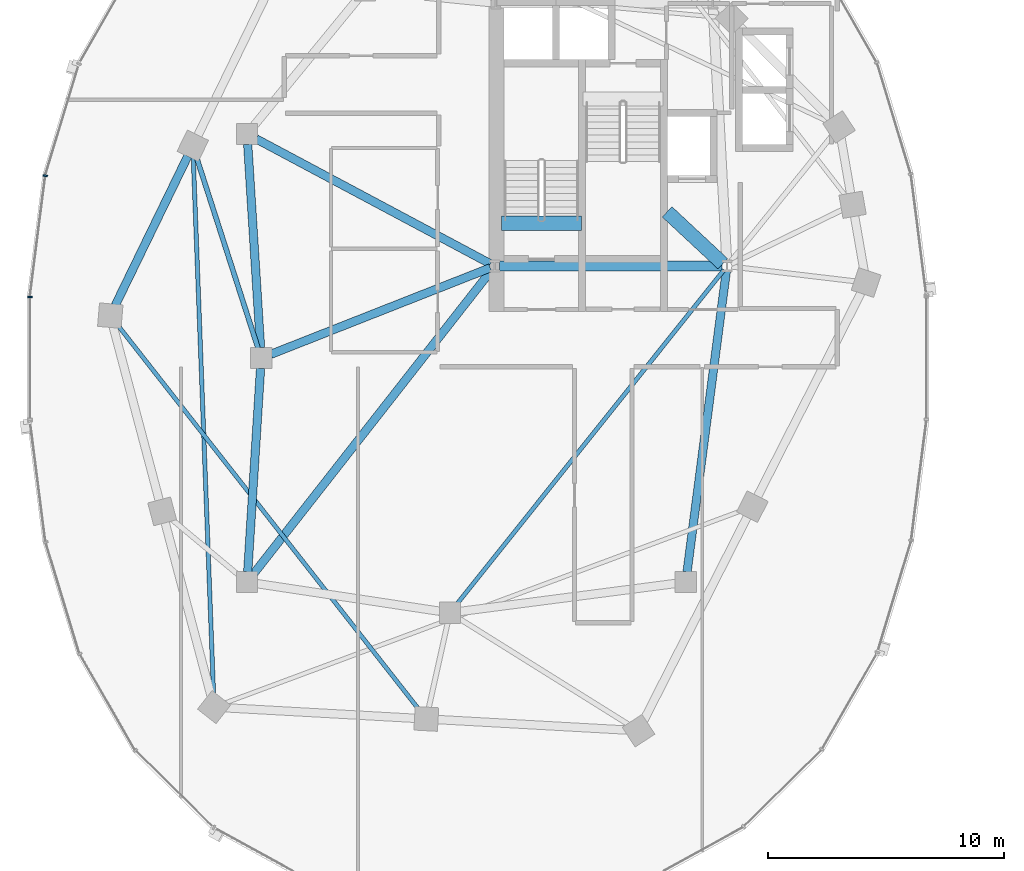
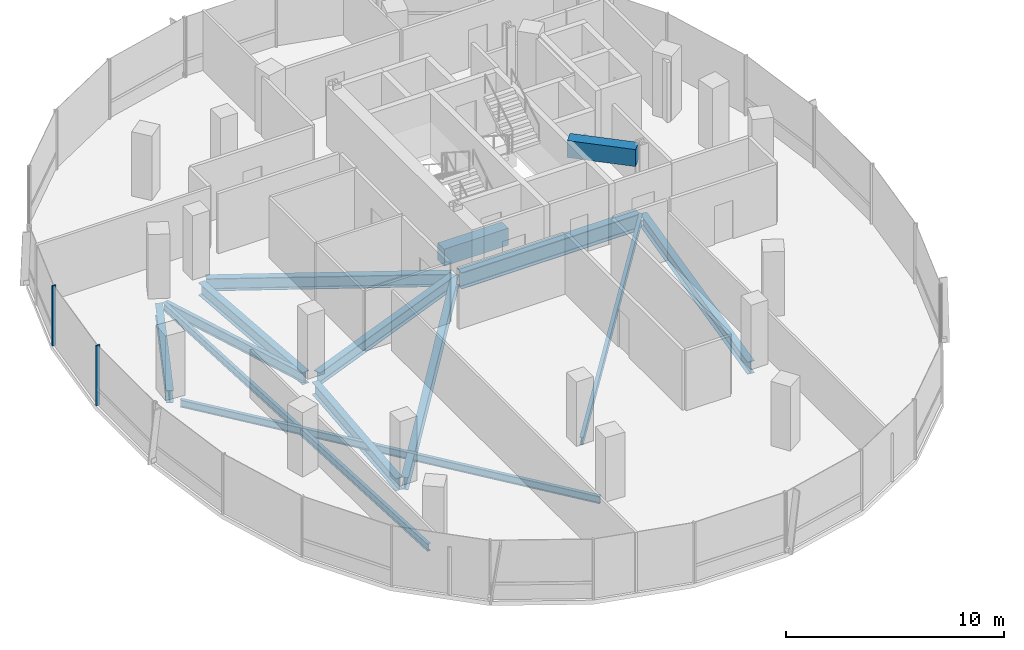
# One storey, part 3 of 22: 14 beams, 2 members, 1 element without a shape of its own.
"""IFC4 building model written with IfcOpenShell, lengths in metres."""

from ifc_helpers import new_model, si_unit, direction, frame, origin, origin_2d, place, context, subcontext, project, spatial, rectangle, i_section, extrude, material, material_profile, profile_set, type_object, element, aggregate, save


model = new_model("IFC4")

# Units and contexts
model_context = context("Model", 3, precision=1e-05, world=origin(), true_north=direction((0.0, 1.0)))
body_context = subcontext(model_context, "Body", "Model", "MODEL_VIEW")
ifc_project = project(units=[si_unit("LENGTHUNIT", "METRE"), si_unit("AREAUNIT", "SQUARE_METRE"), si_unit("VOLUMEUNIT", "CUBIC_METRE"), si_unit("PLANEANGLEUNIT", "RADIAN"), si_unit("MASSUNIT", "GRAM", prefix="KILO"), si_unit("THERMODYNAMICTEMPERATUREUNIT", "KELVIN"), si_unit("POWERUNIT", "WATT")], contexts=[model_context])

# Site, building, storey
site_placement = place(None, origin())
site = spatial("IfcSite", under=ifc_project, at=site_placement, CompositionType="ELEMENT")
building_placement = place(site_placement, origin())
building = spatial("IfcBuilding", under=site, at=building_placement, Name="Cundina Bronze Exchange", CompositionType="ELEMENT")
storey_placement = place(building_placement, frame((0.0, 0.0, 140.39990234375)))
storey = spatial("IfcBuildingStorey", under=building, at=storey_placement, Name="L36", CompositionType="ELEMENT", Elevation=140.39990234375)

# Beams
ifc_material_1 = material(Name="Concrete C60/75", Category="concrete")
ifc_material_profile_1 = material_profile(ifc_material_1, rectangle(XDim=0.60009765625, YDim=0.949951171875, at=origin_2d()), Name="RC600X950", Category="concrete")
ifc_profile_set_1 = profile_set([ifc_material_profile_1], Name="Concrete C60/75")
beam_type_1 = type_object("IfcBeamType", Name="BM-COUP-RC950", PredefinedType="LINTEL", material=ifc_profile_set_1)
beam_1_placement = place(storey_placement, frame((-31.02001953125, 5.719970703125, -0.474853515625), z_axis=(1.0, 0.0, 0.0), x_axis=(0.0, 1.0, 0.0)))
element("IfcBeam", 1, at=beam_1_placement, inside=storey, type_object=beam_type_1, Name="L36 Stair W1 Landing Header Beam", PredefinedType="LINTEL", context=body_context, shape_type="SweptSolid", body=[
    extrude(rectangle(XDim=0.60009765625, YDim=0.949951171875, at=origin_2d()), origin(), (0.0, 0.0, 1.0), 3.39990234375),
])
beam_2_placement = place(storey_placement, frame((-23.989990234375, 6.199951171875, 2.885009765625), z_axis=(0.731490439815, -0.681851696822, 0.0), x_axis=(0.681851696822, 0.731490439815, 0.0)))
element("IfcBeam", 2, at=beam_2_placement, inside=storey, type_object=beam_type_1, Name="L36 W Core Shear Coupling Lintel Beam", PredefinedType="LINTEL", context=body_context, shape_type="SweptSolid", body=[
    extrude(rectangle(XDim=0.60009765625, YDim=0.949951171875, at=origin_2d()), origin(), (0.0, 0.0, 1.0), 3.226318359375),
])
ifc_material_2 = material(Name="Steel ASTM A992 Grade 50", Category="steel")
ifc_material_profile_2 = material_profile(ifc_material_2, i_section(OverallWidth=0.2119140625, OverallDepth=0.5439453125, WebThickness=0.01318359375, FlangeThickness=0.021240234375, FilletRadius=0.013916015625, at=origin_2d()), Name="W21X83", Category="steel")
ifc_profile_set_2 = profile_set([ifc_material_profile_2], Name="Steel ASTM A992 Grade 50")
beam_type_2 = type_object("IfcBeamType", Name="BM-FLR-W21A", PredefinedType="BEAM", material=ifc_profile_set_2)
beam_3_placement = place(storey_placement, frame((-41.334228515625, 0.4169921875, -0.511962890625), z_axis=(-0.30669751302, 0.951807036908, 0.0), x_axis=(-0.951807036908, -0.30669751302, 0.0)))
element("IfcBeam", 3, at=beam_3_placement, inside=storey, type_object=beam_type_2, Name="L36 Leg W Radial Floor Beam 07", PredefinedType="BEAM", context=body_context, shape_type="SweptSolid", body=[
    extrude(i_section(OverallWidth=0.2119140625, OverallDepth=0.5439453125, WebThickness=0.01318359375, FlangeThickness=0.021240234375, FilletRadius=0.013916015625, at=origin_2d()), origin(), (0.0, 0.0, 1.0), 8.529541015625),
])
ifc_material_profile_3 = material_profile(ifc_material_2, i_section(OverallWidth=0.178955078125, OverallDepth=0.409912109375, WebThickness=0.0087890625, FlangeThickness=0.014404296875, FilletRadius=0.010986328125, at=origin_2d()), Name="W16X45", Category="steel")
ifc_profile_set_3 = profile_set([ifc_material_profile_3], Name="Steel ASTM A992 Grade 50")
beam_type_3 = type_object("IfcBeamType", Name="BM-JST-W16", PredefinedType="JOIST", material=ifc_profile_set_3)
beam_4_placement = place(storey_placement, frame((-21.577392578125, 3.740478515625, -0.44482421875), z_axis=(-0.624370675223, -0.781128196854, 0.0), x_axis=(0.781128196854, -0.624370675223, 0.0)))
element("IfcBeam", 4, at=beam_4_placement, inside=storey, type_object=beam_type_3, Name="L36 W Interior Core-to-Ring Joist 2", PredefinedType="JOIST", context=body_context, shape_type="SweptSolid", body=[
    extrude(i_section(OverallWidth=0.178955078125, OverallDepth=0.409912109375, WebThickness=0.0087890625, FlangeThickness=0.014404296875, FilletRadius=0.010986328125, at=origin_2d()), origin(), (0.0, 0.0, 1.0), 18.177001953125),
])
beam_5_placement = place(storey_placement, frame((-44.08154296875, 8.51220703125, -0.44482421875), z_axis=(0.037784933381, -0.999285894431, 0.0), x_axis=(0.999285894431, 0.037784933381, 0.0)))
element("IfcBeam", 5, at=beam_5_placement, inside=storey, type_object=beam_type_3, Name="L36 Leg W Lobe Floor Joist 07-10", PredefinedType="JOIST", context=body_context, shape_type="SweptSolid", body=[
    extrude(i_section(OverallWidth=0.178955078125, OverallDepth=0.409912109375, WebThickness=0.0087890625, FlangeThickness=0.014404296875, FilletRadius=0.010986328125, at=origin_2d()), origin(), (0.0, 0.0, 1.0), 22.8408203125),
])
beam_6_placement = place(storey_placement, frame((-47.299072265625, 1.416015625, -0.44482421875), z_axis=(0.616801484103, -0.787118751656, 0.0), x_axis=(0.787118751656, 0.616801484103, 0.0)))
element("IfcBeam", 6, at=beam_6_placement, inside=storey, type_object=beam_type_3, Name="L36 Leg W Lobe Floor Joist 08-11", PredefinedType="JOIST", context=body_context, shape_type="SweptSolid", body=[
    extrude(i_section(OverallWidth=0.178955078125, OverallDepth=0.409912109375, WebThickness=0.0087890625, FlangeThickness=0.014404296875, FilletRadius=0.010986328125, at=origin_2d()), origin(), (0.0, 0.0, 1.0), 20.7490234375),
])
ifc_material_profile_4 = material_profile(ifc_material_2, i_section(OverallWidth=0.35498046875, OverallDepth=0.695068359375, WebThickness=0.015380859375, FlangeThickness=0.02490234375, FilletRadius=0.01806640625, at=origin_2d()), Name="W27X146", Category="steel")
ifc_profile_set_4 = profile_set([ifc_material_profile_4], Name="Steel ASTM A992 Grade 50")
beam_type_4 = type_object("IfcBeamType", Name="BM-RING-W27", PredefinedType="USERDEFINED", material=ifc_profile_set_4)
for number, where, z_axis, x_axis, name in (
    (7, (-41.7724609375, 9.06298828125, -0.58740234375), (0.063046519736, -0.998010589297, 0.0), (0.998010589297, 0.063046519736, 0.0), "L36 W Inner Structural Ring Girder 03"),
    (8, (-41.2275390625, -0.43701171875, -0.58740234375), (-0.063046519736, -0.998010589297, 0.0), (0.998010589297, -0.063046519736, 0.0), "L36 W Inner Structural Ring Girder 04"),
):
    element("IfcBeam", number, at=place(storey_placement, frame(where, z_axis=z_axis, x_axis=x_axis)), inside=storey, type_object=beam_type_4, Name=name, ObjectType="GIRDER", PredefinedType="USERDEFINED", context=body_context, shape_type="SweptSolid", body=[
        extrude(i_section(OverallWidth=0.35498046875, OverallDepth=0.695068359375, WebThickness=0.015380859375, FlangeThickness=0.02490234375, FilletRadius=0.01806640625, at=origin_2d()), origin(), (0.0, 0.0, 1.0), 8.64306640625),
    ])
beam_7_placement = place(storey_placement, frame((-23.143310546875, -9.065673828125, -0.58740234375), z_axis=(0.129507030047, 0.991578503785, 0.0), x_axis=(-0.991578503785, 0.129507030047, 0.0)))
element("IfcBeam", 9, at=beam_7_placement, inside=storey, type_object=beam_type_4, Name="L36 W Inner Structural Ring Girder 07", ObjectType="GIRDER", PredefinedType="USERDEFINED", context=body_context, shape_type="SweptSolid", body=[
    extrude(i_section(OverallWidth=0.35498046875, OverallDepth=0.695068359375, WebThickness=0.015380859375, FlangeThickness=0.02490234375, FilletRadius=0.01806640625, at=origin_2d()), origin(), (0.0, 0.0, 1.0), 12.871826171875),
])
beam_8_placement = place(storey_placement, frame((-31.48974609375, 3.8251953125, -0.58740234375), z_axis=(-0.930405617189, -0.36653156413, 0.0), x_axis=(0.36653156413, -0.930405617189, 0.0)))
element("IfcBeam", 10, at=beam_8_placement, inside=storey, type_object=beam_type_4, Name="L36 W Core-to-Waist Tie Beam 1", ObjectType="GIRDER", PredefinedType="USERDEFINED", context=body_context, shape_type="SweptSolid", body=[
    extrude(i_section(OverallWidth=0.35498046875, OverallDepth=0.695068359375, WebThickness=0.015380859375, FlangeThickness=0.02490234375, FilletRadius=0.01806640625, at=origin_2d()), origin(), (0.0, 0.0, 1.0), 9.99853515625),
])
beam_9_placement = place(storey_placement, frame((-31.47998046875, 3.99609375, -0.58740234375), z_axis=(-0.88235534237, 0.470583733028, 0.0), x_axis=(-0.470583733028, -0.88235534237, 0.0)))
element("IfcBeam", 11, at=beam_9_placement, inside=storey, type_object=beam_type_4, Name="L36 W Core-to-Waist Tie Beam 2", ObjectType="GIRDER", PredefinedType="USERDEFINED", context=body_context, shape_type="SweptSolid", body=[
    extrude(i_section(OverallWidth=0.35498046875, OverallDepth=0.695068359375, WebThickness=0.015380859375, FlangeThickness=0.02490234375, FilletRadius=0.01806640625, at=origin_2d()), origin(), (0.0, 0.0, 1.0), 11.258056640625),
])
beam_10_placement = place(storey_placement, frame((-31.42578125, 3.739501953125, -0.58740234375), z_axis=(-0.616779109924, -0.787136283982, 0.0), x_axis=(0.787136283982, -0.616779109924, 0.0)))
element("IfcBeam", 12, at=beam_10_placement, inside=storey, type_object=beam_type_4, Name="L36 W Core-to-Waist Tie Beam 3", ObjectType="GIRDER", PredefinedType="USERDEFINED", context=body_context, shape_type="SweptSolid", body=[
    extrude(i_section(OverallWidth=0.35498046875, OverallDepth=0.695068359375, WebThickness=0.015380859375, FlangeThickness=0.02490234375, FilletRadius=0.01806640625, at=origin_2d()), origin(), (0.0, 0.0, 1.0), 16.3818359375),
])
beam_11_placement = place(storey_placement, frame((-44.3134765625, 8.56103515625, -0.58740234375), z_axis=(-0.437196998825, -0.89936576776, 0.0), x_axis=(0.89936576776, -0.437196998825, 0.0)))
element("IfcBeam", 13, at=beam_11_placement, inside=storey, type_object=beam_type_4, Name="L36 W Perimeter Ring Girder 07", ObjectType="GIRDER", PredefinedType="USERDEFINED", context=body_context, shape_type="SweptSolid", body=[
    extrude(i_section(OverallWidth=0.35498046875, OverallDepth=0.695068359375, WebThickness=0.015380859375, FlangeThickness=0.02490234375, FilletRadius=0.01806640625, at=origin_2d()), origin(), (0.0, 0.0, 1.0), 7.029541015625),
])
ifc_material_profile_5 = material_profile(ifc_material_2, i_section(OverallWidth=0.41796875, OverallDepth=0.927001953125, WebThickness=0.019287109375, FlangeThickness=0.031982421875, FilletRadius=0.02392578125, at=origin_2d()), Name="W36X231", Category="steel")
ifc_profile_set_5 = profile_set([ifc_material_profile_5], Name="Steel ASTM A992 Grade 50")
beam_type_5 = type_object("IfcBeamType", Name="BM-WRN-W36B", PredefinedType="USERDEFINED", material=ifc_profile_set_5)
beam_12_placement = place(storey_placement, frame((-31.095947265625, 3.89990234375, -0.703369140625), z_axis=(1.0, 0.0, 0.0), x_axis=(0.0, 1.0, 0.0)))
element("IfcBeam", 14, at=beam_12_placement, inside=storey, type_object=beam_type_5, Name="L36 W Core Perimeter Tie Girder 1", ObjectType="GIRDER", PredefinedType="USERDEFINED", context=body_context, shape_type="SweptSolid", body=[
    extrude(i_section(OverallWidth=0.41796875, OverallDepth=0.927001953125, WebThickness=0.019287109375, FlangeThickness=0.031982421875, FilletRadius=0.02392578125, at=origin_2d()), origin(), (0.0, 0.0, 1.0), 9.44189453125),
])

# Curtain wall, members
ifc_material_3 = material(Name="Anodised Bronze Aluminium 6063-T6", Category="aluminium")
curtain_wall_type = type_object("IfcCurtainWallType", Name="CWS-WST-PIN", PredefinedType="NOTDEFINED", material=ifc_material_3)
curtain_wall_placement = place(storey_placement, origin())
curtain_wall = element("IfcCurtainWall", 15, at=curtain_wall_placement, inside=storey, type_object=curtain_wall_type, Name="L36 CW-04 Curtain Wall Run CWR-L36-W2", PredefinedType="NOTDEFINED")
ifc_material_profile_6 = material_profile(ifc_material_3, rectangle(XDim=0.070068359375, YDim=0.18994140625, at=origin_2d()), Name="AL70X190", Category="aluminium")
ifc_profile_set_6 = profile_set([ifc_material_profile_6], Name="Anodised Bronze Aluminium 6063-T6")
member_type = type_object("IfcMemberType", Name="CWM-MUL-190", PredefinedType="MULLION", material=ifc_profile_set_6)
member_1_placement = place(storey_placement, frame((-50.357177734375, 7.731689453125, 0.0), z_axis=(0.0, 0.0, 1.0), x_axis=(-0.126545236492, -0.991960837494, 0.0)))
member_1 = element("IfcMember", 16, at=member_1_placement, type_object=member_type, Name="CW-04 Mullion 6", PredefinedType="MULLION", context=body_context, shape_type="SweptSolid", body=[
    extrude(rectangle(XDim=0.070068359375, YDim=0.18994140625, at=origin_2d()), origin(), (0.0, 0.0, 1.0), 3.360107421875),
])
member_2_placement = place(storey_placement, frame((-51.007080078125, 2.593017578125, 0.0), z_axis=(0.0, 0.0, 1.0), x_axis=(0.0, -1.0, 0.0)))
member_2 = element("IfcMember", 17, at=member_2_placement, type_object=member_type, Name="CW-04 Mullion 7", PredefinedType="MULLION", context=body_context, shape_type="SweptSolid", body=[
    extrude(rectangle(XDim=0.070068359375, YDim=0.18994140625, at=origin_2d()), origin(), (0.0, 0.0, 1.0), 3.360107421875),
])
aggregate(curtain_wall, [member_1, member_2])

save(model, "model.ifc")
